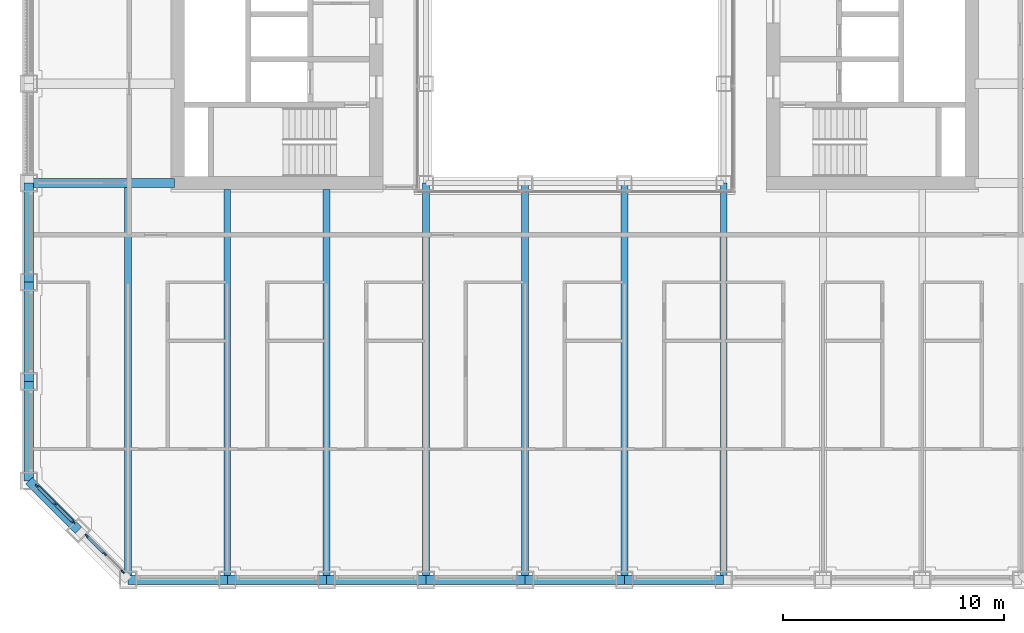
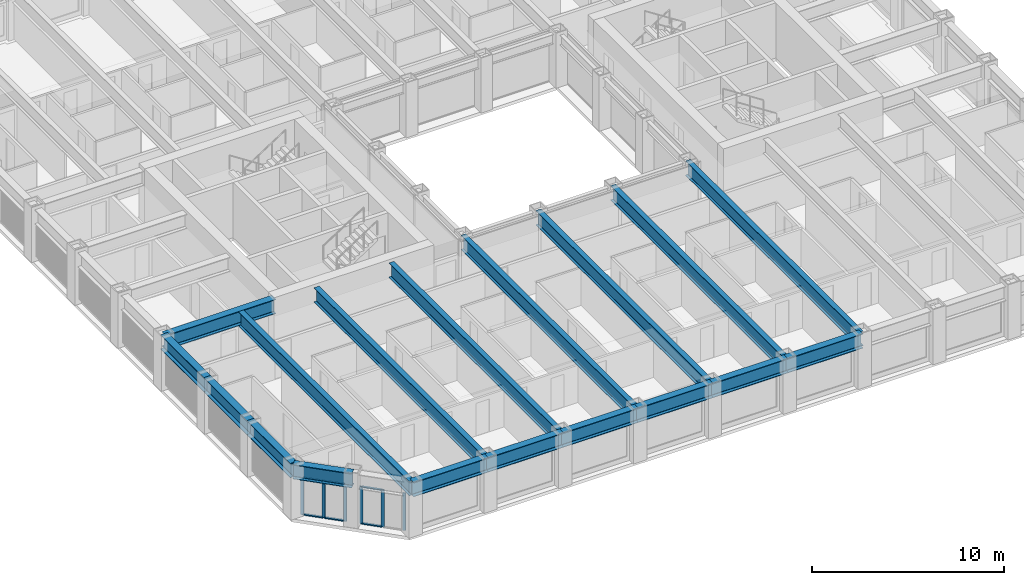
# One storey, part 2 of 21: 18 beams, 12 members, 2 elements without a shape of their own.
"""IFC4 building model written with IfcOpenShell, lengths in metres."""

from ifc_helpers import new_model, si_unit, direction, frame, origin, origin_2d, place, context, subcontext, project, spatial, rectangle, i_section, extrude, material, material_profile, profile_set, type_object, element, aggregate, save


model = new_model("IFC4")

# Units and contexts
model_context = context("Model", 3, precision=1e-05, world=origin(), true_north=direction((0.0, 1.0)))
body_context = subcontext(model_context, "Body", "Model", "MODEL_VIEW")
ifc_project = project(units=[si_unit("LENGTHUNIT", "METRE"), si_unit("AREAUNIT", "SQUARE_METRE"), si_unit("VOLUMEUNIT", "CUBIC_METRE"), si_unit("PLANEANGLEUNIT", "RADIAN"), si_unit("MASSUNIT", "GRAM", prefix="KILO")], contexts=[model_context])

# Site, building, storey
site_placement = place(None, origin())
site = spatial("IfcSite", under=ifc_project, at=site_placement, CompositionType="ELEMENT")
building_placement = place(site_placement, origin())
building = spatial("IfcBuilding", under=site, at=building_placement, Name="Msasa Ring Tower", CompositionType="ELEMENT")
storey_placement = place(building_placement, frame((0.0, 0.0, 89.5)))
storey = spatial("IfcBuildingStorey", under=building, at=storey_placement, Name="L23", CompositionType="ELEMENT", Elevation=89.5)

# Curtain wall, members
ifc_material_1 = material(Name="Aluminium curtain wall with clear glass", Category="aluminium")
curtain_wall_type = type_object("IfcCurtainWallType", Name="CW-C CHAMFER CORNER CURTAIN WALL", PredefinedType="NOTDEFINED", material=ifc_material_1)
curtain_wall_1_placement = place(storey_placement, origin())
curtain_wall_1 = element("IfcCurtainWall", 1, at=curtain_wall_1_placement, inside=storey, type_object=curtain_wall_type, Name="Chamfer corner curtain wall SW L23", PredefinedType="NOTDEFINED")
ifc_material_2 = material(Name="Aluminium mullion", Category="aluminium")
ifc_material_profile_1 = material_profile(ifc_material_2, rectangle(XDim=0.06494140625, YDim=0.179931640625, at=origin_2d()), Name="AL 65x180")
ifc_profile_set_1 = profile_set([ifc_material_profile_1], Name="Aluminium mullion")
member_type_1 = type_object("IfcMemberType", Name="CW-C MULLION 65x180", PredefinedType="MULLION", material=ifc_profile_set_1)
member_1_placement = place(storey_placement, frame((-24.369873046875, -20.48876953125, 0.0), z_axis=(0.0, 0.0, 1.0), x_axis=(0.707106781187, 0.707106781187, 0.0)))
member_1 = element("IfcMember", 2, at=member_1_placement, type_object=member_type_1, Name="CW-C mullion 1", PredefinedType="MULLION", context=body_context, shape_type="SweptSolid", body=[
    extrude(rectangle(XDim=0.06494140625, YDim=0.179931640625, at=origin_2d()), origin(), (0.0, 0.0, 1.0), 2.37890625),
])
member_2_placement = place(storey_placement, frame((-23.55419921875, -21.30419921875, 0.0), z_axis=(0.0, 0.0, 1.0), x_axis=(0.707106781187, 0.707106781187, 0.0)))
member_2 = element("IfcMember", 3, at=member_2_placement, type_object=member_type_1, Name="CW-C mullion 2", PredefinedType="MULLION", context=body_context, shape_type="SweptSolid", body=[
    extrude(rectangle(XDim=0.06494140625, YDim=0.179931640625, at=origin_2d()), origin(), (0.0, 0.0, 1.0), 2.37890625),
])
member_3_placement = place(storey_placement, frame((-22.73876953125, -22.119873046875, 0.0), z_axis=(0.0, 0.0, 1.0), x_axis=(0.707106781187, 0.707106781187, 0.0)))
member_3 = element("IfcMember", 4, at=member_3_placement, type_object=member_type_1, Name="CW-C mullion 3", PredefinedType="MULLION", context=body_context, shape_type="SweptSolid", body=[
    extrude(rectangle(XDim=0.06494140625, YDim=0.179931640625, at=origin_2d()), origin(), (0.0, 0.0, 1.0), 2.37890625),
])

curtain_wall_2_placement = place(storey_placement, origin())
curtain_wall_2 = element("IfcCurtainWall", 5, at=curtain_wall_2_placement, inside=storey, type_object=curtain_wall_type, Name="Chamfer corner curtain wall SW L23", PredefinedType="NOTDEFINED")
member_4_placement = place(storey_placement, frame((-22.119873046875, -22.73876953125, 0.0), z_axis=(0.0, 0.0, 1.0), x_axis=(0.707106781187, 0.707106781187, 0.0)))
member_4 = element("IfcMember", 6, at=member_4_placement, type_object=member_type_1, Name="CW-C mullion 1", PredefinedType="MULLION", context=body_context, shape_type="SweptSolid", body=[
    extrude(rectangle(XDim=0.06494140625, YDim=0.179931640625, at=origin_2d()), origin(), (0.0, 0.0, 1.0), 2.37890625),
])
member_5_placement = place(storey_placement, frame((-21.30419921875, -23.55419921875, 0.0), z_axis=(0.0, 0.0, 1.0), x_axis=(0.707106781187, 0.707106781187, 0.0)))
member_5 = element("IfcMember", 7, at=member_5_placement, type_object=member_type_1, Name="CW-C mullion 2", PredefinedType="MULLION", context=body_context, shape_type="SweptSolid", body=[
    extrude(rectangle(XDim=0.06494140625, YDim=0.179931640625, at=origin_2d()), origin(), (0.0, 0.0, 1.0), 2.37890625),
])
member_6_placement = place(storey_placement, frame((-20.48876953125, -24.369873046875, 0.0), z_axis=(0.0, 0.0, 1.0), x_axis=(0.707106781187, 0.707106781187, 0.0)))
member_6 = element("IfcMember", 8, at=member_6_placement, type_object=member_type_1, Name="CW-C mullion 3", PredefinedType="MULLION", context=body_context, shape_type="SweptSolid", body=[
    extrude(rectangle(XDim=0.06494140625, YDim=0.179931640625, at=origin_2d()), origin(), (0.0, 0.0, 1.0), 2.37890625),
])

# Member
ifc_material_3 = material(Name="Aluminium transom", Category="aluminium")
ifc_material_profile_2 = material_profile(ifc_material_3, rectangle(XDim=0.139892578125, YDim=0.06494140625, at=origin_2d()), Name="AL 65x140")
ifc_profile_set_2 = profile_set([ifc_material_profile_2], Name="Aluminium transom")
member_type_2 = type_object("IfcMemberType", Name="CW-C TRANSOM 65x140", PredefinedType="USERDEFINED", material=ifc_profile_set_2)
member_7_placement = place(storey_placement, frame((-24.346923828125, -20.51171875, 0.032470703125), z_axis=(0.707106781187, -0.707106781187, 0.0), x_axis=(0.707106781187, 0.707106781187, 0.0)))
member_7 = element("IfcMember", 9, at=member_7_placement, type_object=member_type_2, Name="CW-C transom 1.1", ObjectType="TRANSOM", PredefinedType="USERDEFINED", context=body_context, shape_type="SweptSolid", body=[
    extrude(rectangle(XDim=0.139892578125, YDim=0.06494140625, at=origin_2d()), origin(), (0.0, 0.0, 1.0), 1.08837890625),
])

member_8_placement = place(storey_placement, frame((-24.346923828125, -20.51171875, 2.346435546875), z_axis=(0.707106781187, -0.707106781187, 0.0), x_axis=(0.707106781187, 0.707106781187, 0.0)))
member_8 = element("IfcMember", 10, at=member_8_placement, type_object=member_type_2, Name="CW-C transom 1.2", ObjectType="TRANSOM", PredefinedType="USERDEFINED", context=body_context, shape_type="SweptSolid", body=[
    extrude(rectangle(XDim=0.139892578125, YDim=0.06494140625, at=origin_2d()), origin(), (0.0, 0.0, 1.0), 1.08837890625),
])

member_9_placement = place(storey_placement, frame((-23.53125, -21.327392578125, 0.032470703125), z_axis=(0.707106781187, -0.707106781187, 0.0), x_axis=(0.707106781187, 0.707106781187, 0.0)))
member_9 = element("IfcMember", 11, at=member_9_placement, type_object=member_type_2, Name="CW-C transom 2.1", ObjectType="TRANSOM", PredefinedType="USERDEFINED", context=body_context, shape_type="SweptSolid", body=[
    extrude(rectangle(XDim=0.139892578125, YDim=0.06494140625, at=origin_2d()), origin(), (0.0, 0.0, 1.0), 1.08837890625),
])

member_10_placement = place(storey_placement, frame((-23.53125, -21.327392578125, 2.346435546875), z_axis=(0.707106781187, -0.707106781187, 0.0), x_axis=(0.707106781187, 0.707106781187, 0.0)))
member_10 = element("IfcMember", 12, at=member_10_placement, type_object=member_type_2, Name="CW-C transom 2.2", ObjectType="TRANSOM", PredefinedType="USERDEFINED", context=body_context, shape_type="SweptSolid", body=[
    extrude(rectangle(XDim=0.139892578125, YDim=0.06494140625, at=origin_2d()), origin(), (0.0, 0.0, 1.0), 1.08837890625),
])

aggregate(curtain_wall_1, [member_1, member_2, member_3, member_7, member_8, member_9, member_10])

member_11_placement = place(storey_placement, frame((-22.096923828125, -22.76171875, 0.032470703125), z_axis=(0.707106781187, -0.707106781187, 0.0), x_axis=(0.707106781187, 0.707106781187, 0.0)))
member_11 = element("IfcMember", 13, at=member_11_placement, type_object=member_type_2, Name="CW-C transom 1.1", ObjectType="TRANSOM", PredefinedType="USERDEFINED", context=body_context, shape_type="SweptSolid", body=[
    extrude(rectangle(XDim=0.139892578125, YDim=0.06494140625, at=origin_2d()), origin(), (0.0, 0.0, 1.0), 1.08837890625),
])

member_12_placement = place(storey_placement, frame((-22.096923828125, -22.76171875, 2.346435546875), z_axis=(0.707106781187, -0.707106781187, 0.0), x_axis=(0.707106781187, 0.707106781187, 0.0)))
member_12 = element("IfcMember", 14, at=member_12_placement, type_object=member_type_2, Name="CW-C transom 1.2", ObjectType="TRANSOM", PredefinedType="USERDEFINED", context=body_context, shape_type="SweptSolid", body=[
    extrude(rectangle(XDim=0.139892578125, YDim=0.06494140625, at=origin_2d()), origin(), (0.0, 0.0, 1.0), 1.08837890625),
])

aggregate(curtain_wall_2, [member_4, member_5, member_6, member_11, member_12])

# Beams
ifc_material_4 = material(Name="Steel S355", Category="steel")
ifc_material_profile_3 = material_profile(ifc_material_4, i_section(OverallWidth=0.3076171875, OverallDepth=0.926513671875, WebThickness=0.01953125, FlangeThickness=0.031982421875, FilletRadius=0.01904296875, at=origin_2d()), Name="UB 914x305x289")
ifc_profile_set_3 = profile_set([ifc_material_profile_3], Name="Steel S355")
beam_type_1 = type_object("IfcBeamType", Name="FB3 UB 914x305x289", PredefinedType="BEAM", material=ifc_profile_set_3)
beam_1_placement = place(storey_placement, frame((-20.25, -24.75, 2.836669921875), z_axis=(0.0, 1.0, 0.0), x_axis=(-1.0, 0.0, 0.0)))
element("IfcBeam", 15, at=beam_1_placement, inside=storey, type_object=beam_type_1, Name="Floor beam S-20.25 under L24", PredefinedType="BEAM", context=body_context, shape_type="SweptSolid", body=[
    extrude(i_section(OverallWidth=0.3076171875, OverallDepth=0.926513671875, WebThickness=0.01953125, FlangeThickness=0.031982421875, FilletRadius=0.01904296875, at=origin_2d()), origin(), (0.0, 0.0, 1.0), 17.789794921875),
])
for number, where, z_axis, x_axis, name in (
    (16, (-15.75, -24.75, 2.836669921875), (0.0, 1.0, 0.0), (-1.0, 0.0, 0.0), "Floor beam S-15.75 under L24"),
    (17, (-11.25, -24.75, 2.836669921875), (0.0, 1.0, 0.0), (-1.0, 0.0, 0.0), "Floor beam S-11.25 under L24"),
):
    element("IfcBeam", number, at=place(storey_placement, frame(where, z_axis=z_axis, x_axis=x_axis)), inside=storey, type_object=beam_type_1, Name=name, PredefinedType="BEAM", context=body_context, shape_type="SweptSolid", body=[
        extrude(i_section(OverallWidth=0.3076171875, OverallDepth=0.926513671875, WebThickness=0.01953125, FlangeThickness=0.031982421875, FilletRadius=0.01904296875, at=origin_2d()), origin(), (0.0, 0.0, 1.0), 17.699951171875),
    ])
for number, where, z_axis, x_axis, name in (
    (18, (-6.75, -24.75, 2.836669921875), (0.0, 1.0, 0.0), (-1.0, 0.0, 0.0), "Floor beam S-6.75 under L24"),
    (19, (-2.25, -24.75, 2.836669921875), (0.0, 1.0, 0.0), (-1.0, 0.0, 0.0), "Floor beam S-2.25 under L24"),
    (20, (2.25, -24.75, 2.836669921875), (0.0, 1.0, 0.0), (-1.0, 0.0, 0.0), "Floor beam S+2.25 under L24"),
    (21, (6.75, -24.75, 2.836669921875), (0.0, 1.0, 0.0), (-1.0, 0.0, 0.0), "Floor beam S+6.75 under L24"),
):
    element("IfcBeam", number, at=place(storey_placement, frame(where, z_axis=z_axis, x_axis=x_axis)), inside=storey, type_object=beam_type_1, Name=name, PredefinedType="BEAM", context=body_context, shape_type="SweptSolid", body=[
        extrude(i_section(OverallWidth=0.3076171875, OverallDepth=0.926513671875, WebThickness=0.01953125, FlangeThickness=0.031982421875, FilletRadius=0.01904296875, at=origin_2d()), origin(), (0.0, 0.0, 1.0), 18.0),
    ])
ifc_material_5 = material(Name="Steel S355", Category="steel")
ifc_material_profile_4 = material_profile(ifc_material_5, i_section(OverallWidth=0.42041015625, OverallDepth=0.9208984375, WebThickness=0.021484375, FlangeThickness=0.03662109375, FilletRadius=0.024169921875, at=origin_2d()), Name="UB 914x419x388")
ifc_profile_set_4 = profile_set([ifc_material_profile_4], Name="Steel S355")
beam_type_2 = type_object("IfcBeamType", Name="GB1 UB 914x419x388", PredefinedType="BEAM", material=ifc_profile_set_4)
beam_2_placement = place(storey_placement, frame((-18.14990234375, -6.75, 2.839599609375), z_axis=(-1.0, 0.0, 0.0), x_axis=(0.0, -1.0, 0.0)))
element("IfcBeam", 22, at=beam_2_placement, inside=storey, type_object=beam_type_2, Name="Girder W -6.75 under L24", PredefinedType="BEAM", context=body_context, shape_type="SweptSolid", body=[
    extrude(i_section(OverallWidth=0.42041015625, OverallDepth=0.9208984375, WebThickness=0.021484375, FlangeThickness=0.03662109375, FilletRadius=0.024169921875, at=origin_2d()), origin(), (0.0, 0.0, 1.0), 6.60009765625),
])
ifc_material_6 = material(Name="Steel S355", Category="steel")
ifc_material_profile_5 = material_profile(ifc_material_6, i_section(OverallWidth=0.42041015625, OverallDepth=0.9208984375, WebThickness=0.021484375, FlangeThickness=0.03662109375, FilletRadius=0.024169921875, at=origin_2d()), Name="UB 914x419x388")
ifc_profile_set_5 = profile_set([ifc_material_profile_5], Name="Steel S355")
beam_type_3 = type_object("IfcBeamType", Name="SB1 UB 914x419x388", PredefinedType="SPANDREL", material=ifc_profile_set_5)
for number, where, z_axis, x_axis, name in (
    (23, (-24.75, -6.75, 2.839599609375), (0.0, -1.0, 0.0), (1.0, 0.0, 0.0), "Spandrel W-6.75 to W-11.25 under L24"),
    (24, (-24.75, -11.25, 2.839599609375), (0.0, -1.0, 0.0), (1.0, 0.0, 0.0), "Spandrel W-11.25 to W-15.75 under L24"),
    (25, (-24.75, -15.75, 2.839599609375), (0.0, -1.0, 0.0), (1.0, 0.0, 0.0), "Spandrel W-15.75 to W-20.25 under L24"),
):
    element("IfcBeam", number, at=place(storey_placement, frame(where, z_axis=z_axis, x_axis=x_axis)), inside=storey, type_object=beam_type_3, Name=name, PredefinedType="SPANDREL", context=body_context, shape_type="SweptSolid", body=[
        extrude(i_section(OverallWidth=0.42041015625, OverallDepth=0.9208984375, WebThickness=0.021484375, FlangeThickness=0.03662109375, FilletRadius=0.024169921875, at=origin_2d()), origin(), (0.0, 0.0, 1.0), 4.5),
    ])
beam_3_placement = place(storey_placement, frame((-24.75, -20.25, 2.839599609375), z_axis=(0.707106781187, -0.707106781187, 0.0), x_axis=(0.707106781187, 0.707106781187, 0.0)))
element("IfcBeam", 26, at=beam_3_placement, inside=storey, type_object=beam_type_3, Name="Spandrel W-20.25 to SW under L24", PredefinedType="SPANDREL", context=body_context, shape_type="SweptSolid", body=[
    extrude(i_section(OverallWidth=0.42041015625, OverallDepth=0.9208984375, WebThickness=0.021484375, FlangeThickness=0.03662109375, FilletRadius=0.024169921875, at=origin_2d()), origin(), (0.0, 0.0, 1.0), 3.181884765625),
])
for number, where, z_axis, x_axis, name in (
    (27, (-20.25, -24.75, 2.839599609375), (1.0, 0.0, 0.0), (0.0, 1.0, 0.0), "Spandrel S-20.25 to S-15.75 under L24"),
    (28, (-15.75, -24.75, 2.839599609375), (1.0, 0.0, 0.0), (0.0, 1.0, 0.0), "Spandrel S-15.75 to S-11.25 under L24"),
    (29, (-11.25, -24.75, 2.839599609375), (1.0, 0.0, 0.0), (0.0, 1.0, 0.0), "Spandrel S-11.25 to S-6.75 under L24"),
    (30, (-6.75, -24.75, 2.839599609375), (1.0, 0.0, 0.0), (0.0, 1.0, 0.0), "Spandrel S-6.75 to S-2.25 under L24"),
    (31, (-2.25, -24.75, 2.839599609375), (1.0, 0.0, 0.0), (0.0, 1.0, 0.0), "Spandrel S-2.25 to S+2.25 under L24"),
    (32, (2.25, -24.75, 2.839599609375), (1.0, 0.0, 0.0), (0.0, 1.0, 0.0), "Spandrel S+2.25 to S+6.75 under L24"),
):
    element("IfcBeam", number, at=place(storey_placement, frame(where, z_axis=z_axis, x_axis=x_axis)), inside=storey, type_object=beam_type_3, Name=name, PredefinedType="SPANDREL", context=body_context, shape_type="SweptSolid", body=[
        extrude(i_section(OverallWidth=0.42041015625, OverallDepth=0.9208984375, WebThickness=0.021484375, FlangeThickness=0.03662109375, FilletRadius=0.024169921875, at=origin_2d()), origin(), (0.0, 0.0, 1.0), 4.5),
    ])

save(model, "model.ifc")
